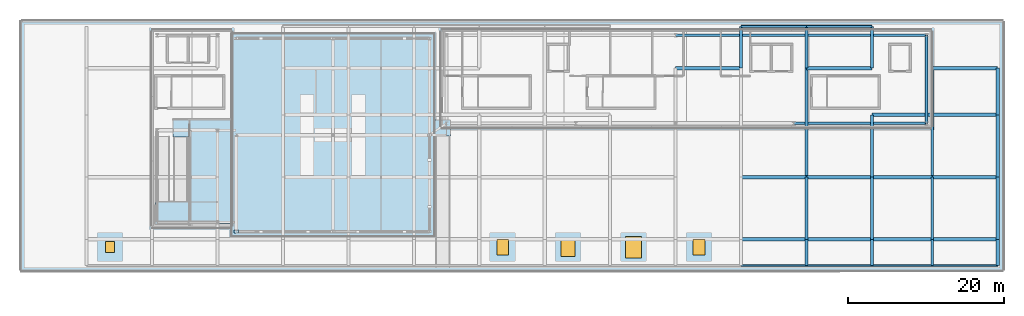
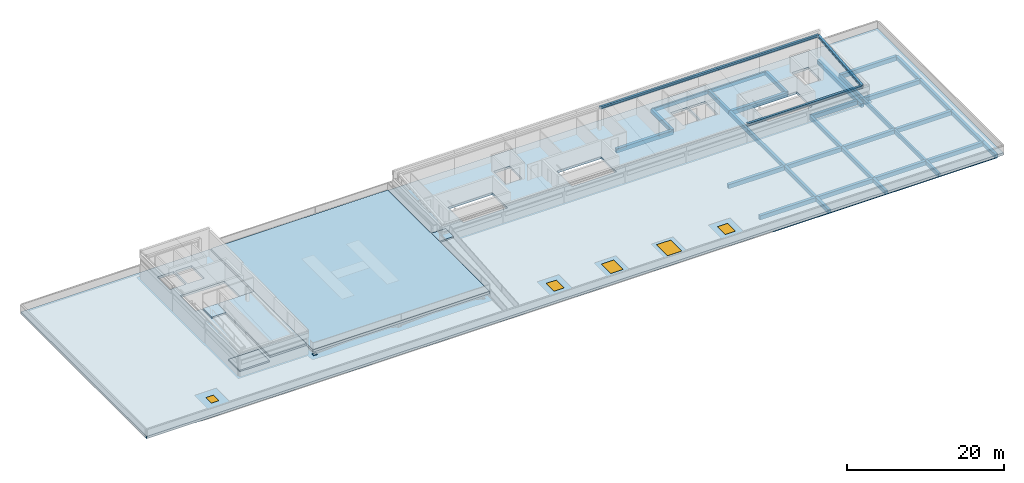
# One storey, part 5 of 14: 38 beams, 6 slabs, 4 windows, 1 door, 1 plate, 5 openings, 3 elements without a shape of their own.
"""IFC4 building model written with IfcOpenShell, lengths in metres."""

import ifcopenshell
import ifcopenshell.guid

model = None  # the IFC model being written
_history = None  # IfcOwnerHistory: only IFC2X3 demands one
_inside = {}  # id of a spatial element -> (the spatial element, [elements in it])
_under = {}  # id of a project, library or spatial element -> (it, [spatial elements below it])
_declared = {}  # id of a project -> (the project, [libraries it declares])
_typed = {}  # id of a type object -> (the type object, [elements of that type])
_made_of = {}  # id of a material, layer set ... -> (it, [elements and type objects made of it])


def new_model(schema):
    """Start an empty IFC model of exactly this schema.

    Asked for "IFC4X3", IfcOpenShell would pick the latest addendum, in which some entities
    have other attributes; the version numbers below select the first issue.
    IFC2X3 requires an IfcOwnerHistory on every rooted entity: one is made here for all.
    """
    global model, _history
    if schema == "IFC4X3":
        model = ifcopenshell.file(schema_version=(4, 3, 0, 0))
    else:
        model = ifcopenshell.file(schema=schema)
    _inside.clear()
    _under.clear()
    _declared.clear()
    _typed.clear()
    _made_of.clear()
    _history = None
    if model.schema == "IFC2X3":
        org = make("IfcOrganization", Name="unknown")
        user = make(
            "IfcPersonAndOrganization",
            ThePerson=make("IfcPerson", FamilyName="unknown"),
            TheOrganization=org,
        )
        app = make(
            "IfcApplication",
            ApplicationDeveloper=org,
            Version="unknown",
            ApplicationFullName="unknown",
            ApplicationIdentifier="unknown",
        )
        _history = make(
            "IfcOwnerHistory",
            OwningUser=user,
            OwningApplication=app,
            ChangeAction="ADDED",
            CreationDate=0,
        )
    return model


def make(cls, **values):
    """One entity of the class cls with the attributes given. An attribute that is None is left unset."""
    return model.create_entity(
        cls, **{name: value for name, value in values.items() if value is not None}
    )


def rooted(cls, **values):
    """An entity with a GlobalId (a new one), such as an element, a storey or a relation."""
    return make(cls, GlobalId=ifcopenshell.guid.new(), OwnerHistory=_history, **values)


def si_unit(unit_type, name, prefix=None):
    """IfcSIUnit, for example si_unit("LENGTHUNIT", "METRE", prefix="MILLI")."""
    return make("IfcSIUnit", UnitType=unit_type, Prefix=prefix, Name=name)


def assignment(units):
    """IfcUnitAssignment: the units of a project."""
    return None if units is None else make("IfcUnitAssignment", Units=units)


def point(xyz):
    """IfcCartesianPoint."""
    return None if xyz is None else make("IfcCartesianPoint", Coordinates=xyz)


def direction(xyz):
    """IfcDirection."""
    return None if xyz is None else make("IfcDirection", DirectionRatios=xyz)


def frame(location, z_axis=None, x_axis=None):
    """IfcAxis2Placement3D, a coordinate frame: its origin and axes. An axis left out is left unset."""
    return make(
        "IfcAxis2Placement3D",
        Location=point(location),
        Axis=direction(z_axis),
        RefDirection=direction(x_axis),
    )


def frame_2d(location, x_axis=None):
    """IfcAxis2Placement2D, a coordinate frame in the plane: its origin and x axis."""
    return make(
        "IfcAxis2Placement2D", Location=point(location), RefDirection=direction(x_axis)
    )


def origin():
    """The frame at (0, 0, 0) with its axes left unset."""
    return frame((0.0, 0.0, 0.0))


def origin_2d():
    """The frame at (0, 0) in the plane with its x axis left unset."""
    return frame_2d((0.0, 0.0))


def place(relative_to, where):
    """IfcLocalPlacement: puts the frame where relative to a parent placement (None: the world)."""
    return make(
        "IfcLocalPlacement", PlacementRelTo=relative_to, RelativePlacement=where
    )


def context(
    kind, dimensions, precision=None, world=None, true_north=None, identifier=None
):
    """IfcGeometricRepresentationContext, for example the 3D "Model" context."""
    return make(
        "IfcGeometricRepresentationContext",
        ContextIdentifier=identifier,
        ContextType=kind,
        CoordinateSpaceDimension=dimensions,
        Precision=precision,
        WorldCoordinateSystem=world,
        TrueNorth=true_north,
    )


def subcontext(parent, identifier, kind, view, scale=None):
    """IfcGeometricRepresentationSubContext, for example "Body" below "Model"."""
    return make(
        "IfcGeometricRepresentationSubContext",
        ContextIdentifier=identifier,
        ContextType=kind,
        ParentContext=parent,
        TargetScale=scale,
        TargetView=view,
    )


def project(units=None, contexts=None):
    """IfcProject with its units and contexts."""
    return rooted(
        "IfcProject",
        Name="project",
        RepresentationContexts=contexts,
        UnitsInContext=assignment(units),
    )


def spatial(cls, under=None, at=None, **own):
    """A site, building, storey or space (cls), placed at a placement, below another one or the project."""
    s = rooted(cls, ObjectPlacement=at, **own)
    if under is not None:
        _under.setdefault(under.id(), (under, []))[1].append(s)
    return s


def polyline(points):
    """IfcPolyline through the points."""
    return make("IfcPolyline", Points=[point(p) for p in points])


def profile(cls, at=None, kind="AREA", **sizes):
    """A parametric profile (cls). Its sizes go by their IFC names, for example OverallWidth=200.0."""
    return make(cls, ProfileType=kind, Position=at, **sizes)


def rectangle(**sizes):
    """IfcRectangleProfileDef."""
    return profile("IfcRectangleProfileDef", **sizes)


def i_section(**sizes):
    """IfcIShapeProfileDef."""
    return profile("IfcIShapeProfileDef", **sizes)


def outline(outer, holes=None, kind="AREA"):
    """IfcArbitraryClosedProfileDef: a profile drawn as a closed curve; with holes, ...WithVoids."""
    if holes is None:
        return make("IfcArbitraryClosedProfileDef", ProfileType=kind, OuterCurve=outer)
    return make(
        "IfcArbitraryProfileDefWithVoids",
        ProfileType=kind,
        OuterCurve=outer,
        InnerCurves=holes,
    )


def extrude(swept, where, along, depth):
    """IfcExtrudedAreaSolid: the profile swept, set in the frame where, extruded along a direction by depth."""
    return make(
        "IfcExtrudedAreaSolid",
        SweptArea=swept,
        Position=where,
        ExtrudedDirection=direction(along),
        Depth=depth,
    )


def shape(context_of_items, identifier, shape_type, items):
    """IfcShapeRepresentation: the items that make up one representation, for example the "Body"."""
    return make(
        "IfcShapeRepresentation",
        ContextOfItems=context_of_items,
        RepresentationIdentifier=identifier,
        RepresentationType=shape_type,
        Items=items,
    )


def material(Name=None, Category=None):
    """IfcMaterial."""
    return make("IfcMaterial", Name=Name, Category=Category)


def layer(
    of_material, thickness, ventilated=None, Name=None, Category=None, Priority=None
):
    """IfcMaterialLayer: one layer of a wall or slab, of a material (None: an air gap)."""
    return make(
        "IfcMaterialLayer",
        Material=of_material,
        LayerThickness=thickness,
        IsVentilated=ventilated,
        Name=Name,
        Category=Category,
        Priority=Priority,
    )


def layer_set(layers, Name=None):
    """IfcMaterialLayerSet."""
    return make("IfcMaterialLayerSet", MaterialLayers=layers, LayerSetName=Name)


def material_profile(
    of_material, cross_section, Name=None, Category=None, Priority=None
):
    """IfcMaterialProfile: a cross section and its material."""
    return make(
        "IfcMaterialProfile",
        Name=Name,
        Material=of_material,
        Profile=cross_section,
        Priority=Priority,
        Category=Category,
    )


def profile_set(profiles, Name=None, composite=None):
    """IfcMaterialProfileSet."""
    return make(
        "IfcMaterialProfileSet",
        Name=Name,
        MaterialProfiles=profiles,
        CompositeProfile=composite,
    )


def made_of(thing, what):
    """Note that an element or type object is made of a material, layer set ...; save() writes the relation."""
    if what is not None:
        _made_of.setdefault(what.id(), (what, []))[1].append(thing)
    return thing


def type_object(cls, material=None, **own):
    """A type object (cls), such as IfcWallType, which elements share."""
    return made_of(rooted(cls, **own), material)


def element(
    cls,
    number,
    at=None,
    inside=None,
    cuts=None,
    type_object=None,
    material=None,
    context=None,
    identifier="Body",
    shape_type=None,
    held_by="IfcProductDefinitionShape",
    body=None,
    shapes=None,
    **own,
):
    """One element of the class cls, such as IfcWall. Its Tag is "e" and its number.

    at: its placement. inside: the storey or other place that contains it. cuts: it is an
    opening in that element (IfcRelVoidsElement). A single representation is given by context,
    identifier, shape_type and body (its items); several are given by shapes. held_by: the class
    of the entity that holds the representations. save() writes the other relations.
    """
    e = rooted(cls, Tag="e%d" % number, ObjectPlacement=at, **own)
    if body is not None:
        shapes = [shape(context, identifier, shape_type, body)]
    if shapes is not None:
        e.Representation = make(held_by, Representations=shapes)
    if inside is not None:
        _inside.setdefault(inside.id(), (inside, []))[1].append(e)
    if cuts is not None:
        rooted(
            "IfcRelVoidsElement", RelatingBuildingElement=cuts, RelatedOpeningElement=e
        )
    if type_object is not None:
        _typed.setdefault(type_object.id(), (type_object, []))[1].append(e)
    return made_of(e, material)


def fill(opening, filler):
    """IfcRelFillsElement: the door or window that sits in an opening."""
    return rooted(
        "IfcRelFillsElement",
        RelatingOpeningElement=opening,
        RelatedBuildingElement=filler,
    )


def aggregate(whole, parts):
    """IfcRelAggregates: a whole, such as a stair, and the parts it consists of."""
    return rooted("IfcRelAggregates", RelatingObject=whole, RelatedObjects=parts)


def save(model, path):
    """Write the relations noted so far, then the file.

    IfcRelAggregates (storeys below a building ...), IfcRelContainedInSpatialStructure (elements
    in a storey), IfcRelDefinesByType, IfcRelAssociatesMaterial and IfcRelDeclares: one each for
    every whole, place, type object, material and project.
    """
    for whole, parts in _under.values():
        aggregate(whole, parts)
    for where, things in _inside.values():
        rooted(
            "IfcRelContainedInSpatialStructure",
            RelatedElements=things,
            RelatingStructure=where,
        )
    for kind, things in _typed.values():
        rooted("IfcRelDefinesByType", RelatedObjects=things, RelatingType=kind)
    for what, things in _made_of.values():
        rooted("IfcRelAssociatesMaterial", RelatedObjects=things, RelatingMaterial=what)
    for by, libraries in _declared.values():
        rooted("IfcRelDeclares", RelatingContext=by, RelatedDefinitions=libraries)
    model.write(path)


model = new_model("IFC4")

# Units and contexts
model_context = context("Model", 3, precision=1e-05, world=origin(), true_north=direction((0.0, 1.0)))
body_context = subcontext(model_context, "Body", "Model", "MODEL_VIEW")
ifc_project = project(units=[si_unit("LENGTHUNIT", "METRE"), si_unit("AREAUNIT", "SQUARE_METRE"), si_unit("VOLUMEUNIT", "CUBIC_METRE"), si_unit("PLANEANGLEUNIT", "RADIAN"), si_unit("MASSUNIT", "GRAM", prefix="KILO")], contexts=[model_context])

# Site, building, storey
site_placement = place(None, origin())
site = spatial("IfcSite", under=ifc_project, at=site_placement, CompositionType="ELEMENT")
building_placement = place(site_placement, origin())
building = spatial("IfcBuilding", under=site, at=building_placement, Name="Selatvlak General Hospital", CompositionType="ELEMENT")
storey_placement = place(building_placement, frame((0.0, 0.0, 39.449951171875)))
storey = spatial("IfcBuildingStorey", under=building, at=storey_placement, Name="RF", CompositionType="ELEMENT", Elevation=39.449951171875)

# Beams
ifc_material_1 = material(Name="Concrete C40/50", Category="concrete")
ifc_material_profile_1 = material_profile(ifc_material_1, rectangle(XDim=0.449951171875, YDim=0.64990234375, at=origin_2d()), Name="RC-BM 450x650")
ifc_profile_set_1 = profile_set([ifc_material_profile_1], Name="Concrete C40/50")
beam_type_1 = type_object("IfcBeamType", Name="BM-G04", PredefinedType="BEAM", material=ifc_profile_set_1)
for number, where, z_axis, x_axis, name in (
    (1, (123.60009765625, 92.0, -0.635009765625), (1.0, 0.0, 0.0), (0.0, 1.0, 0.0), "Beam BMR-RF-2742"),
    (2, (132.0, 92.0, -0.635009765625), (1.0, 0.0, 0.0), (0.0, 1.0, 0.0), "Beam BMR-RF-2743"),
):
    element("IfcBeam", number, at=place(storey_placement, frame(where, z_axis=z_axis, x_axis=x_axis)), inside=storey, type_object=beam_type_1, Name=name, PredefinedType="BEAM", context=body_context, shape_type="SweptSolid", body=[
        extrude(rectangle(XDim=0.449951171875, YDim=0.64990234375, at=origin_2d()), origin(), (0.0, 0.0, 1.0), 8.39990234375),
    ])
beam_1_placement = place(storey_placement, frame((140.39990234375, 92.0, -0.635009765625), z_axis=(1.0, 0.0, 0.0), x_axis=(0.0, 1.0, 0.0)))
element("IfcBeam", 3, at=beam_1_placement, inside=storey, type_object=beam_type_1, Name="Beam BMR-RF-2744", PredefinedType="BEAM", context=body_context, shape_type="SweptSolid", body=[
    extrude(rectangle(XDim=0.449951171875, YDim=0.64990234375, at=origin_2d()), origin(), (0.0, 0.0, 1.0), 7.75),
])
beam_2_placement = place(storey_placement, frame((148.14990234375, 92.0, -0.635009765625), z_axis=(1.0, 0.0, 0.0), x_axis=(0.0, 1.0, 0.0)))
element("IfcBeam", 4, at=beam_2_placement, inside=storey, type_object=beam_type_1, Name="Beam BMR-RF-2745", PredefinedType="BEAM", context=body_context, shape_type="SweptSolid", body=[
    extrude(rectangle(XDim=0.449951171875, YDim=0.64990234375, at=origin_2d()), origin(), (0.0, 0.0, 1.0), 8.400146484375),
])
for number, where, z_axis, x_axis, name in (
    (5, (123.60009765625, 100.0, -0.635009765625), (1.0, 0.0, 0.0), (0.0, 1.0, 0.0), "Beam BMR-RF-2757"),
    (6, (132.0, 100.0, -0.635009765625), (1.0, 0.0, 0.0), (0.0, 1.0, 0.0), "Beam BMR-RF-2758"),
):
    element("IfcBeam", number, at=place(storey_placement, frame(where, z_axis=z_axis, x_axis=x_axis)), inside=storey, type_object=beam_type_1, Name=name, PredefinedType="BEAM", context=body_context, shape_type="SweptSolid", body=[
        extrude(rectangle(XDim=0.449951171875, YDim=0.64990234375, at=origin_2d()), origin(), (0.0, 0.0, 1.0), 8.39990234375),
    ])
beam_3_placement = place(storey_placement, frame((140.39990234375, 100.0, -0.635009765625), z_axis=(1.0, 0.0, 0.0), x_axis=(0.0, 1.0, 0.0)))
element("IfcBeam", 7, at=beam_3_placement, inside=storey, type_object=beam_type_1, Name="Beam BMR-RF-2759", PredefinedType="BEAM", context=body_context, shape_type="SweptSolid", body=[
    extrude(rectangle(XDim=0.449951171875, YDim=0.64990234375, at=origin_2d()), origin(), (0.0, 0.0, 1.0), 7.75),
])
beam_4_placement = place(storey_placement, frame((148.14990234375, 100.0, -0.635009765625), z_axis=(1.0, 0.0, 0.0), x_axis=(0.0, 1.0, 0.0)))
element("IfcBeam", 8, at=beam_4_placement, inside=storey, type_object=beam_type_1, Name="Beam BMR-RF-2760", PredefinedType="BEAM", context=body_context, shape_type="SweptSolid", body=[
    extrude(rectangle(XDim=0.449951171875, YDim=0.64990234375, at=origin_2d()), origin(), (0.0, 0.0, 1.0), 8.400146484375),
])
beam_5_placement = place(storey_placement, frame((140.39990234375, 108.0, -0.635009765625), z_axis=(1.0, 0.0, 0.0), x_axis=(0.0, 1.0, 0.0)))
element("IfcBeam", 9, at=beam_5_placement, inside=storey, type_object=beam_type_1, Name="Beam BMR-RF-2771", PredefinedType="BEAM", context=body_context, shape_type="SweptSolid", body=[
    extrude(rectangle(XDim=0.449951171875, YDim=0.64990234375, at=origin_2d()), origin(), (0.0, 0.0, 1.0), 16.150146484375),
])
beam_6_placement = place(storey_placement, frame((115.199951171875, 114.0, -0.635009765625), z_axis=(1.0, 0.0, 0.0), x_axis=(0.0, 1.0, 0.0)))
element("IfcBeam", 10, at=beam_6_placement, inside=storey, type_object=beam_type_1, Name="Beam BMR-RF-2777", PredefinedType="BEAM", context=body_context, shape_type="SweptSolid", body=[
    extrude(rectangle(XDim=0.449951171875, YDim=0.64990234375, at=origin_2d()), origin(), (0.0, 0.0, 1.0), 8.400146484375),
])
beam_7_placement = place(storey_placement, frame((132.0, 114.0, -0.635009765625), z_axis=(1.0, 0.0, 0.0), x_axis=(0.0, 1.0, 0.0)))
element("IfcBeam", 11, at=beam_7_placement, inside=storey, type_object=beam_type_1, Name="Beam BMR-RF-2778", PredefinedType="BEAM", context=body_context, shape_type="SweptSolid", body=[
    extrude(rectangle(XDim=0.449951171875, YDim=0.64990234375, at=origin_2d()), origin(), (0.0, 0.0, 1.0), 8.39990234375),
])
beam_8_placement = place(storey_placement, frame((148.14990234375, 114.0, -0.635009765625), z_axis=(1.0, 0.0, 0.0), x_axis=(0.0, 1.0, 0.0)))
element("IfcBeam", 12, at=beam_8_placement, inside=storey, type_object=beam_type_1, Name="Beam BMR-RF-2779", PredefinedType="BEAM", context=body_context, shape_type="SweptSolid", body=[
    extrude(rectangle(XDim=0.449951171875, YDim=0.64990234375, at=origin_2d()), origin(), (0.0, 0.0, 1.0), 8.400146484375),
])
ifc_material_profile_2 = material_profile(ifc_material_1, rectangle(XDim=0.39990234375, YDim=0.60009765625, at=origin_2d()), Name="RC-BM 400x600")
ifc_profile_set_2 = profile_set([ifc_material_profile_2], Name="Concrete C40/50")
beam_type_2 = type_object("IfcBeamType", Name="BM-G05", PredefinedType="BEAM", material=ifc_profile_set_2)
beam_9_placement = place(storey_placement, frame((123.60009765625, 114.0, -0.60986328125), z_axis=(0.0, 1.0, 0.0), x_axis=(-1.0, 0.0, 0.0)))
element("IfcBeam", 13, at=beam_9_placement, inside=storey, type_object=beam_type_2, Name="Beam BMR-RF-2843", PredefinedType="BEAM", context=body_context, shape_type="SweptSolid", body=[
    extrude(rectangle(XDim=0.39990234375, YDim=0.60009765625, at=origin_2d()), origin(), (0.0, 0.0, 1.0), 5.35009765625),
])
beam_10_placement = place(storey_placement, frame((132.0, 88.64990234375, -0.60986328125), z_axis=(0.0, 1.0, 0.0), x_axis=(-1.0, 0.0, 0.0)))
element("IfcBeam", 14, at=beam_10_placement, inside=storey, type_object=beam_type_2, Name="Beam BMR-RF-2844", PredefinedType="BEAM", context=body_context, shape_type="SweptSolid", body=[
    extrude(rectangle(XDim=0.39990234375, YDim=0.60009765625, at=origin_2d()), origin(), (0.0, 0.0, 1.0), 3.35009765625),
])
beam_11_placement = place(storey_placement, frame((132.0, 92.0, -0.60986328125), z_axis=(0.0, 1.0, 0.0), x_axis=(-1.0, 0.0, 0.0)))
element("IfcBeam", 15, at=beam_11_placement, inside=storey, type_object=beam_type_2, Name="Beam BMR-RF-2845", PredefinedType="BEAM", context=body_context, shape_type="SweptSolid", body=[
    extrude(rectangle(XDim=0.39990234375, YDim=0.60009765625, at=origin_2d()), origin(), (0.0, 0.0, 1.0), 8.0),
])
beam_12_placement = place(storey_placement, frame((132.0, 100.0, -0.60986328125), z_axis=(0.0, 1.0, 0.0), x_axis=(-1.0, 0.0, 0.0)))
element("IfcBeam", 16, at=beam_12_placement, inside=storey, type_object=beam_type_2, Name="Beam BMR-RF-2846", PredefinedType="BEAM", context=body_context, shape_type="SweptSolid", body=[
    extrude(rectangle(XDim=0.39990234375, YDim=0.60009765625, at=origin_2d()), origin(), (0.0, 0.0, 1.0), 14.0),
])
beam_13_placement = place(storey_placement, frame((132.0, 114.0, -0.60986328125), z_axis=(0.0, 1.0, 0.0), x_axis=(-1.0, 0.0, 0.0)))
element("IfcBeam", 17, at=beam_13_placement, inside=storey, type_object=beam_type_2, Name="Beam BMR-RF-2847", PredefinedType="BEAM", context=body_context, shape_type="SweptSolid", body=[
    extrude(rectangle(XDim=0.39990234375, YDim=0.60009765625, at=origin_2d()), origin(), (0.0, 0.0, 1.0), 5.35009765625),
])
beam_14_placement = place(storey_placement, frame((140.39990234375, 88.64990234375, -0.60986328125), z_axis=(0.0, 1.0, 0.0), x_axis=(-1.0, 0.0, 0.0)))
element("IfcBeam", 18, at=beam_14_placement, inside=storey, type_object=beam_type_2, Name="Beam BMR-RF-2848", PredefinedType="BEAM", context=body_context, shape_type="SweptSolid", body=[
    extrude(rectangle(XDim=0.39990234375, YDim=0.60009765625, at=origin_2d()), origin(), (0.0, 0.0, 1.0), 3.35009765625),
])
for number, where, z_axis, x_axis, name in (
    (19, (140.39990234375, 92.0, -0.60986328125), (0.0, 1.0, 0.0), (-1.0, 0.0, 0.0), "Beam BMR-RF-2849"),
    (20, (140.39990234375, 100.0, -0.60986328125), (0.0, 1.0, 0.0), (-1.0, 0.0, 0.0), "Beam BMR-RF-2850"),
):
    element("IfcBeam", number, at=place(storey_placement, frame(where, z_axis=z_axis, x_axis=x_axis)), inside=storey, type_object=beam_type_2, Name=name, PredefinedType="BEAM", context=body_context, shape_type="SweptSolid", body=[
        extrude(rectangle(XDim=0.39990234375, YDim=0.60009765625, at=origin_2d()), origin(), (0.0, 0.0, 1.0), 8.0),
    ])
beam_15_placement = place(storey_placement, frame((140.39990234375, 114.0, -0.60986328125), z_axis=(0.0, 1.0, 0.0), x_axis=(-1.0, 0.0, 0.0)))
element("IfcBeam", 21, at=beam_15_placement, inside=storey, type_object=beam_type_2, Name="Beam BMR-RF-2851", PredefinedType="BEAM", context=body_context, shape_type="SweptSolid", body=[
    extrude(rectangle(XDim=0.39990234375, YDim=0.60009765625, at=origin_2d()), origin(), (0.0, 0.0, 1.0), 5.35009765625),
])
beam_16_placement = place(storey_placement, frame((147.39990234375, 106.89990234375, -0.60986328125), z_axis=(0.0, 1.0, 0.0), x_axis=(-1.0, 0.0, 0.0)))
element("IfcBeam", 22, at=beam_16_placement, inside=storey, type_object=beam_type_2, Name="Beam BMR-RF-2852", PredefinedType="BEAM", context=body_context, shape_type="SweptSolid", body=[
    extrude(rectangle(XDim=0.39990234375, YDim=0.60009765625, at=origin_2d()), origin(), (0.0, 0.0, 1.0), 11.300048828125),
])
beam_17_placement = place(storey_placement, frame((156.550048828125, 88.64990234375, -0.60986328125), z_axis=(0.0, 1.0, 0.0), x_axis=(-1.0, 0.0, 0.0)))
element("IfcBeam", 23, at=beam_17_placement, inside=storey, type_object=beam_type_2, Name="Beam BMR-RF-2856", PredefinedType="BEAM", context=body_context, shape_type="SweptSolid", body=[
    extrude(rectangle(XDim=0.39990234375, YDim=0.60009765625, at=origin_2d()), origin(), (0.0, 0.0, 1.0), 3.35009765625),
])
for number, where, z_axis, x_axis, name in (
    (24, (156.550048828125, 92.0, -0.60986328125), (0.0, 1.0, 0.0), (-1.0, 0.0, 0.0), "Beam BMR-RF-2857"),
    (25, (156.550048828125, 100.0, -0.60986328125), (0.0, 1.0, 0.0), (-1.0, 0.0, 0.0), "Beam BMR-RF-2858"),
):
    element("IfcBeam", number, at=place(storey_placement, frame(where, z_axis=z_axis, x_axis=x_axis)), inside=storey, type_object=beam_type_2, Name=name, PredefinedType="BEAM", context=body_context, shape_type="SweptSolid", body=[
        extrude(rectangle(XDim=0.39990234375, YDim=0.60009765625, at=origin_2d()), origin(), (0.0, 0.0, 1.0), 8.0),
    ])
beam_18_placement = place(storey_placement, frame((156.550048828125, 108.0, -0.60986328125), z_axis=(0.0, 1.0, 0.0), x_axis=(-1.0, 0.0, 0.0)))
element("IfcBeam", 26, at=beam_18_placement, inside=storey, type_object=beam_type_2, Name="Beam BMR-RF-2859", PredefinedType="BEAM", context=body_context, shape_type="SweptSolid", body=[
    extrude(rectangle(XDim=0.39990234375, YDim=0.60009765625, at=origin_2d()), origin(), (0.0, 0.0, 1.0), 6.0),
])
ifc_material_2 = material(Name="Steel S355", Category="steel")
ifc_material_profile_3 = material_profile(ifc_material_2, i_section(OverallWidth=0.300048828125, OverallDepth=0.39990234375, WebThickness=0.013427734375, FlangeThickness=0.02392578125, at=origin_2d()), Name="HEB 400")
ifc_profile_set_3 = profile_set([ifc_material_profile_3], Name="Steel S355")
beam_type_3 = type_object("IfcBeamType", Name="BM-HLP", PredefinedType="BEAM", material=ifc_profile_set_3)
beam_19_placement = place(storey_placement, frame((130.39990234375, 106.89990234375, 2.3701171875), z_axis=(1.0, 0.0, 0.0), x_axis=(0.0, 1.0, 0.0)))
element("IfcBeam", 27, at=beam_19_placement, inside=storey, type_object=beam_type_3, Name="Beam BMR-RF-2896", PredefinedType="BEAM", context=body_context, shape_type="SweptSolid", body=[
    extrude(i_section(OverallWidth=0.300048828125, OverallDepth=0.39990234375, WebThickness=0.013427734375, FlangeThickness=0.02392578125, at=origin_2d()), origin(), (0.0, 0.0, 1.0), 17.0),
])
beam_20_placement = place(storey_placement, frame((115.199951171875, 118.199951171875, 3.429931640625), z_axis=(1.0, 0.0, 0.0), x_axis=(0.0, 1.0, 0.0)))
element("IfcBeam", 28, at=beam_20_placement, inside=storey, type_object=beam_type_3, Name="Beam BMR-RF-2898", PredefinedType="BEAM", context=body_context, shape_type="SweptSolid", body=[
    extrude(i_section(OverallWidth=0.300048828125, OverallDepth=0.39990234375, WebThickness=0.013427734375, FlangeThickness=0.02392578125, at=origin_2d()), origin(), (0.0, 0.0, 1.0), 32.199951171875),
])
beam_21_placement = place(storey_placement, frame((147.39990234375, 106.89990234375, 2.3701171875), z_axis=(0.0, 0.995630664484, 0.093378691034), x_axis=(-1.0, 0.0, 0.0)))
element("IfcBeam", 29, at=beam_21_placement, inside=storey, type_object=beam_type_3, Name="Beam BMR-RF-2900", PredefinedType="BEAM", context=body_context, shape_type="SweptSolid", body=[
    extrude(i_section(OverallWidth=0.300048828125, OverallDepth=0.39990234375, WebThickness=0.013427734375, FlangeThickness=0.02392578125, at=origin_2d()), origin(), (0.0, 0.0, 1.0), 11.349609375),
])
ifc_material_profile_4 = material_profile(ifc_material_1, rectangle(XDim=0.300048828125, YDim=0.64990234375, at=origin_2d()), Name="RC-SP 300x650")
ifc_profile_set_4 = profile_set([ifc_material_profile_4], Name="Concrete C40/50")
beam_type_4 = type_object("IfcBeamType", Name="BM-SP1", PredefinedType="SPANDREL", material=ifc_profile_set_4)
beam_22_placement = place(storey_placement, frame((148.14990234375, 88.64990234375, -0.635009765625), z_axis=(0.0, 1.0, 0.0), x_axis=(-1.0, 0.0, 0.0)))
element("IfcBeam", 30, at=beam_22_placement, inside=storey, type_object=beam_type_4, Name="Beam BMR-RF-2853", PredefinedType="SPANDREL", context=body_context, shape_type="SweptSolid", body=[
    extrude(rectangle(XDim=0.300048828125, YDim=0.64990234375, at=origin_2d()), origin(), (0.0, 0.0, 1.0), 3.35009765625),
])
beam_23_placement = place(storey_placement, frame((148.14990234375, 92.0, -0.635009765625), z_axis=(0.0, 1.0, 0.0), x_axis=(-1.0, 0.0, 0.0)))
element("IfcBeam", 31, at=beam_23_placement, inside=storey, type_object=beam_type_4, Name="Beam BMR-RF-2854", PredefinedType="SPANDREL", context=body_context, shape_type="SweptSolid", body=[
    extrude(rectangle(XDim=0.300048828125, YDim=0.64990234375, at=origin_2d()), origin(), (0.0, 0.0, 1.0), 8.0),
])
beam_24_placement = place(storey_placement, frame((148.14990234375, 100.0, -0.635009765625), z_axis=(0.0, 1.0, 0.0), x_axis=(-1.0, 0.0, 0.0)))
element("IfcBeam", 32, at=beam_24_placement, inside=storey, type_object=beam_type_4, Name="Beam BMR-RF-2855", PredefinedType="SPANDREL", context=body_context, shape_type="SweptSolid", body=[
    extrude(rectangle(XDim=0.300048828125, YDim=0.64990234375, at=origin_2d()), origin(), (0.0, 0.0, 1.0), 14.0),
])
ifc_material_profile_5 = material_profile(ifc_material_1, rectangle(XDim=0.25, YDim=0.550048828125, at=origin_2d()), Name="RC-SP 250x550")
ifc_profile_set_5 = profile_set([ifc_material_profile_5], Name="Concrete C40/50")
beam_type_5 = type_object("IfcBeamType", Name="BM-SP2", PredefinedType="SPANDREL", material=ifc_profile_set_5)
for number, where, z_axis, x_axis, name in (
    (33, (123.60009765625, 88.64990234375, -0.5849609375), (1.0, 0.0, 0.0), (0.0, 1.0, 0.0), "Beam BMR-RF-2728"),
    (34, (132.0, 88.64990234375, -0.5849609375), (1.0, 0.0, 0.0), (0.0, 1.0, 0.0), "Beam BMR-RF-2729"),
):
    element("IfcBeam", number, at=place(storey_placement, frame(where, z_axis=z_axis, x_axis=x_axis)), inside=storey, type_object=beam_type_5, Name=name, PredefinedType="SPANDREL", context=body_context, shape_type="SweptSolid", body=[
        extrude(rectangle(XDim=0.25, YDim=0.550048828125, at=origin_2d()), origin(), (0.0, 0.0, 1.0), 8.39990234375),
    ])
beam_25_placement = place(storey_placement, frame((140.39990234375, 88.64990234375, -0.5849609375), z_axis=(1.0, 0.0, 0.0), x_axis=(0.0, 1.0, 0.0)))
element("IfcBeam", 35, at=beam_25_placement, inside=storey, type_object=beam_type_5, Name="Beam BMR-RF-2730", PredefinedType="SPANDREL", context=body_context, shape_type="SweptSolid", body=[
    extrude(rectangle(XDim=0.25, YDim=0.550048828125, at=origin_2d()), origin(), (0.0, 0.0, 1.0), 7.75),
])
beam_26_placement = place(storey_placement, frame((148.14990234375, 88.64990234375, -0.5849609375), z_axis=(1.0, 0.0, 0.0), x_axis=(0.0, 1.0, 0.0)))
element("IfcBeam", 36, at=beam_26_placement, inside=storey, type_object=beam_type_5, Name="Beam BMR-RF-2731", PredefinedType="SPANDREL", context=body_context, shape_type="SweptSolid", body=[
    extrude(rectangle(XDim=0.25, YDim=0.550048828125, at=origin_2d()), origin(), (0.0, 0.0, 1.0), 8.400146484375),
])
for number, where, z_axis, x_axis, name in (
    (37, (123.60009765625, 119.35009765625, -0.5849609375), (1.0, 0.0, 0.0), (0.0, 1.0, 0.0), "Beam BMR-RF-2787"),
    (38, (132.0, 119.35009765625, -0.5849609375), (1.0, 0.0, 0.0), (0.0, 1.0, 0.0), "Beam BMR-RF-2788"),
):
    element("IfcBeam", number, at=place(storey_placement, frame(where, z_axis=z_axis, x_axis=x_axis)), inside=storey, type_object=beam_type_5, Name=name, PredefinedType="SPANDREL", context=body_context, shape_type="SweptSolid", body=[
        extrude(rectangle(XDim=0.25, YDim=0.550048828125, at=origin_2d()), origin(), (0.0, 0.0, 1.0), 8.39990234375),
    ])

# Plate
ifc_layer_1 = layer(ifc_material_2, 0.02392578125, Name="Steel S355", Category="steel")
ifc_layer_set_1 = layer_set([ifc_layer_1], Name="Steel S355")
plate_type = type_object("IfcPlateType", Name="PLT-GP-02", PredefinedType="USERDEFINED", material=ifc_layer_set_1)
plate_placement = place(storey_placement, frame((58.800048828125, 93.0, 0.158203125), z_axis=(0.0, 0.0, 1.0), x_axis=(1.0, 0.0, 0.0)))
element("IfcPlate", 39, at=plate_placement, inside=storey, type_object=plate_type, Name="Helipad brace node gusset plate 102", ObjectType="GUSSET_PLATE", PredefinedType="USERDEFINED", context=body_context, shape_type="SweptSolid", body=[
    extrude(rectangle(XDim=0.550048828125, YDim=0.39990234375, at=origin_2d()), origin(), (0.0, 0.0, 1.0), 0.02392578125),
])

# Ramp, slab
ramp_type = type_object("IfcRampType", Name="RAMP-ACC", PredefinedType="STRAIGHT_RUN_RAMP", material=ifc_material_1)
ramp_1_placement = place(storey_placement, origin())
ramp_1 = element("IfcRamp", 40, at=ramp_1_placement, inside=storey, type_object=ramp_type, Name="Accessible step-free ramp RMP-HLP-W1", PredefinedType="STRAIGHT_RUN_RAMP")
ifc_layer_2 = layer(ifc_material_1, 0.219970703125, Name="Concrete C40/50", Category="concrete")
ifc_layer_set_2 = layer_set([ifc_layer_2], Name="Concrete C40/50")
slab_type_1 = type_object("IfcSlabType", Name="SLAB-LND2", PredefinedType="LANDING", material=ifc_layer_set_2)
slab_1_placement = place(storey_placement, frame((0.0, 0.0, 0.47998046875)))
slab_1 = element("IfcSlab", 41, at=slab_1_placement, type_object=slab_type_1, Name="Accessible ramp landing SL-HLPLND-W1", PredefinedType="LANDING", context=body_context, shape_type="SweptSolid", body=[
    extrude(outline(polyline([(48.35009765625, 94.0), (52.699951171875, 94.0), (52.699951171875, 96.85009765625), (48.35009765625, 96.85009765625), (48.35009765625, 94.0)])), origin(), (0.0, 0.0, 1.0), 0.219970703125),
])
aggregate(ramp_1, [slab_1])

ramp_2_placement = place(storey_placement, origin())
ramp_2 = element("IfcRamp", 42, at=ramp_2_placement, inside=storey, type_object=ramp_type, Name="Accessible step-free ramp RMP-HLP-W2", PredefinedType="STRAIGHT_RUN_RAMP")
slab_2_placement = place(storey_placement, frame((0.0, 0.0, 1.179931640625)))
slab_2 = element("IfcSlab", 43, at=slab_2_placement, type_object=slab_type_1, Name="Accessible ramp landing SL-HLPLND-W2", PredefinedType="LANDING", context=body_context, shape_type="SweptSolid", body=[
    extrude(outline(polyline([(50.699951171875, 105.14990234375), (52.800048828125, 105.14990234375), (52.800048828125, 107.39990234375), (50.699951171875, 107.39990234375), (50.699951171875, 105.14990234375)])), origin(), (0.0, 0.0, 1.0), 0.22021484375),
])
aggregate(ramp_2, [slab_2])

ramp_3_placement = place(storey_placement, origin())
ramp_3 = element("IfcRamp", 44, at=ramp_3_placement, inside=storey, type_object=ramp_type, Name="Accessible step-free ramp RMP-HLP-E1", PredefinedType="STRAIGHT_RUN_RAMP")
slab_3_placement = place(storey_placement, frame((0.0, 0.0, 1.179931640625)))
slab_3 = element("IfcSlab", 45, at=slab_3_placement, type_object=slab_type_1, Name="Accessible ramp landing SL-HLPLND-E1", PredefinedType="LANDING", context=body_context, shape_type="SweptSolid", body=[
    extrude(outline(polyline([(84.2099609375, 105.25), (86.300048828125, 105.25), (86.300048828125, 107.300048828125), (84.2099609375, 107.300048828125), (84.2099609375, 105.25)])), origin(), (0.0, 0.0, 1.0), 0.22021484375),
])
aggregate(ramp_3, [slab_3])

# Slabs
ifc_layer_3 = layer(ifc_material_1, 0.264892578125, Name="Concrete C40/50", Category="concrete")
ifc_layer_set_3 = layer_set([ifc_layer_3], Name="Concrete C40/50")
slab_type_2 = type_object("IfcSlabType", Name="SLAB-SL-FL8", PredefinedType="FLOOR", material=ifc_layer_set_3)
slab_4_placement = place(storey_placement, frame((0.0, 0.0, 1.135009765625)))
element("IfcSlab", 46, at=slab_4_placement, inside=storey, type_object=slab_type_2, Name="RF helipad trauma transfer platform slab", PredefinedType="FLOOR", context=body_context, shape_type="SweptSolid", body=[
    extrude(outline(polyline([(58.179931640625, 94.0), (58.179931640625, 107.39990234375), (52.800048828125, 107.39990234375), (52.800048828125, 94.0), (58.179931640625, 94.0)])), origin(), (0.0, 0.0, 1.0), 0.26513671875),
])
ifc_layer_4 = layer(ifc_material_1, 0.364990234375, Name="Concrete C40/50", Category="concrete")
ifc_layer_set_4 = layer_set([ifc_layer_4], Name="Concrete C40/50")
slab_type_3 = type_object("IfcSlabType", Name="SLAB-SL-HLP", PredefinedType="ROOF", material=ifc_layer_set_4)
slab_5_placement = place(storey_placement, frame((0.0, 0.0, 1.03515625)))
element("IfcSlab", 47, at=slab_5_placement, inside=storey, type_object=slab_type_3, Name="RF roof slab ROOF-HELIPAD", PredefinedType="ROOF", context=body_context, shape_type="SweptSolid", body=[
    extrude(outline(polyline([(84.199951171875, 92.39990234375), (84.199951171875, 118.39990234375), (58.199951171875, 118.39990234375), (58.199951171875, 92.39990234375), (84.199951171875, 92.39990234375)])), origin(), (0.0, 0.0, 1.0), 0.364990234375),
])

# Slab, openings, door, windows
ifc_layer_5 = layer(ifc_material_1, 0.360107421875, Name="Concrete C40/50", Category="concrete")
ifc_layer_set_5 = layer_set([ifc_layer_5], Name="Concrete C40/50")
slab_type_4 = type_object("IfcSlabType", Name="SLAB-SL-RF9", PredefinedType="ROOF", material=ifc_layer_set_5)
slab_6_placement = place(storey_placement, frame((0.0, 0.0, -0.31005859375)))
slab_6 = element("IfcSlab", 48, at=slab_6_placement, inside=storey, type_object=slab_type_4, Name="RF roof slab ROOF-V5-MAIN", PredefinedType="ROOF", context=body_context, shape_type="SweptSolid", body=[
    extrude(outline(polyline([(157.199951171875, 88.0), (31.199951171875, 88.0), (31.199951171875, 120.0), (157.199951171875, 120.0), (157.199951171875, 88.0)]), holes=[polyline([(57.050048828125, 112.93994140625), (50.554931640625, 112.93994140625), (50.554931640625, 109.0), (57.050048828125, 109.0), (57.050048828125, 112.93994140625)]), polyline([(96.39990234375, 109.0), (96.39990234375, 112.93994140625), (89.905029296875, 112.93994140625), (89.905029296875, 109.0), (96.39990234375, 109.0)]), polyline([(105.905029296875, 109.0), (112.39990234375, 109.0), (112.39990234375, 112.93994140625), (105.905029296875, 112.93994140625), (105.905029296875, 109.0)]), polyline([(134.705078125, 112.93994140625), (134.705078125, 109.0), (141.199951171875, 109.0), (141.199951171875, 112.93994140625), (134.705078125, 112.93994140625)]), polyline([(98.89990234375, 116.89990234375), (98.89990234375, 113.699951171875), (101.300048828125, 113.699951171875), (101.300048828125, 116.89990234375), (98.89990234375, 116.89990234375)]), polyline([(145.199951171875, 116.89990234375), (142.800048828125, 116.89990234375), (142.800048828125, 113.699951171875), (145.199951171875, 113.699951171875), (145.199951171875, 116.89990234375)]), polyline([(52.5, 114.800048828125), (52.5, 118.0), (50.10009765625, 118.0), (50.10009765625, 114.800048828125), (52.5, 114.800048828125)]), polyline([(52.75, 114.800048828125), (55.14990234375, 114.800048828125), (55.14990234375, 118.0), (52.75, 118.0), (52.75, 114.800048828125)]), polyline([(124.949951171875, 116.89990234375), (124.949951171875, 113.699951171875), (127.35009765625, 113.699951171875), (127.35009765625, 116.89990234375), (124.949951171875, 116.89990234375)]), polyline([(130.0, 116.89990234375), (127.60009765625, 116.89990234375), (127.60009765625, 113.699951171875), (130.0, 113.699951171875), (130.0, 116.89990234375)]), polyline([(42.050048828125, 90.300048828125), (43.14990234375, 90.300048828125), (43.14990234375, 91.699951171875), (42.050048828125, 91.699951171875), (42.050048828125, 90.300048828125)]), polyline([(92.25, 90.0), (93.75, 90.0), (93.75, 92.0), (92.25, 92.0), (92.25, 90.0)]), polyline([(100.5, 89.800048828125), (102.300048828125, 89.800048828125), (102.300048828125, 92.199951171875), (100.5, 92.199951171875), (100.5, 89.800048828125)]), polyline([(108.75, 89.60009765625), (110.85009765625, 89.60009765625), (110.85009765625, 92.39990234375), (108.75, 92.39990234375), (108.75, 89.60009765625)]), polyline([(117.449951171875, 90.0), (118.949951171875, 90.0), (118.949951171875, 92.0), (117.449951171875, 92.0), (117.449951171875, 90.0)])]), origin(), (0.0, 0.0, 1.0), 0.360107421875),
])
opening_1_placement = place(slab_6_placement, frame((42.60009765625, 91.0, 0.0)))
opening_1 = element("IfcOpeningElement", 49, at=opening_1_placement, cuts=slab_6, Name="Opening DH-02", PredefinedType="OPENING", context=body_context, shape_type="SweptSolid", body=[
    extrude(rectangle(XDim=1.10009765625, YDim=1.39990234375, at=origin_2d()), frame((0.0, 0.0, -0.010009765625)), (0.0, 0.0, 1.0), 0.380126953125),
])
opening_2_placement = place(slab_6_placement, frame((93.0, 91.0, 0.0)))
opening_2 = element("IfcOpeningElement", 50, at=opening_2_placement, cuts=slab_6, Name="Opening SK-03", PredefinedType="OPENING", context=body_context, shape_type="SweptSolid", body=[
    extrude(rectangle(XDim=1.5, YDim=2.0, at=origin_2d()), frame((0.0, 0.0, -0.010009765625)), (0.0, 0.0, 1.0), 0.380126953125),
])
opening_3_placement = place(slab_6_placement, frame((101.39990234375, 91.0, 0.0)))
opening_3 = element("IfcOpeningElement", 51, at=opening_3_placement, cuts=slab_6, Name="Opening SK-01", PredefinedType="OPENING", context=body_context, shape_type="SweptSolid", body=[
    extrude(rectangle(XDim=1.800048828125, YDim=2.39990234375, at=origin_2d()), frame((0.0, 0.0, -0.010009765625)), (0.0, 0.0, 1.0), 0.380126953125),
])
opening_4_placement = place(slab_6_placement, frame((109.800048828125, 91.0, 0.0)))
opening_4 = element("IfcOpeningElement", 52, at=opening_4_placement, cuts=slab_6, Name="Opening SK-02", PredefinedType="OPENING", context=body_context, shape_type="SweptSolid", body=[
    extrude(rectangle(XDim=2.10009765625, YDim=2.800048828125, at=origin_2d()), frame((0.0, 0.0, -0.010009765625)), (0.0, 0.0, 1.0), 0.380126953125),
])
opening_5_placement = place(slab_6_placement, frame((118.199951171875, 91.0, 0.0)))
opening_5 = element("IfcOpeningElement", 53, at=opening_5_placement, cuts=slab_6, Name="Opening SK-03", PredefinedType="OPENING", context=body_context, shape_type="SweptSolid", body=[
    extrude(rectangle(XDim=1.5, YDim=2.0, at=origin_2d()), frame((0.0, 0.0, -0.010009765625)), (0.0, 0.0, 1.0), 0.380126953125),
])
ifc_material_3 = material(Name="Anodised aluminium insulated hatch", Category="aluminium")
door_type = type_object("IfcDoorType", Name="DOOR-HT-02", OperationType="SINGLE_SWING_LEFT", PredefinedType="TRAPDOOR", material=ifc_material_3)
door_placement = place(opening_1_placement, frame((0.0, 0.0, 0.31005859375)))
door = element("IfcDoor", 54, at=door_placement, inside=storey, type_object=door_type, Name="Roof access hatch 6", OperationType="SINGLE_SWING_LEFT", OverallHeight=1.39990234375, OverallWidth=1.10009765625, PredefinedType="TRAPDOOR", context=body_context, shape_type="SweptSolid", body=[
    extrude(rectangle(XDim=1.10009765625, YDim=1.39990234375, at=origin_2d()), origin(), (0.0, 0.0, 1.0), 0.050048828125),
])
fill(opening_1, door)
ifc_material_4 = material(Name="Double-glazed thermally broken skylight")
window_type_1 = type_object("IfcWindowType", Name="WIN-SKY-01", PartitioningType="SINGLE_PANEL", PredefinedType="SKYLIGHT", material=ifc_material_4)
window_1_placement = place(opening_3_placement, frame((0.0, 0.0, 0.31005859375)))
window_1 = element("IfcWindow", 55, at=window_1_placement, inside=storey, type_object=window_type_1, Name="Roof clerestory skylight 7", OverallHeight=2.39990234375, OverallWidth=1.800048828125, PartitioningType="SINGLE_PANEL", PredefinedType="SKYLIGHT", context=body_context, shape_type="SweptSolid", body=[
    extrude(rectangle(XDim=1.800048828125, YDim=2.39990234375, at=origin_2d()), origin(), (0.0, 0.0, 1.0), 0.050048828125),
])
fill(opening_3, window_1)
window_type_2 = type_object("IfcWindowType", Name="WIN-SKY-02", PartitioningType="SINGLE_PANEL", PredefinedType="SKYLIGHT", material=ifc_material_4)
window_2_placement = place(opening_4_placement, frame((0.0, 0.0, 0.31005859375)))
window_2 = element("IfcWindow", 56, at=window_2_placement, inside=storey, type_object=window_type_2, Name="Roof clerestory skylight 8", OverallHeight=2.800048828125, OverallWidth=2.10009765625, PartitioningType="SINGLE_PANEL", PredefinedType="SKYLIGHT", context=body_context, shape_type="SweptSolid", body=[
    extrude(rectangle(XDim=2.10009765625, YDim=2.800048828125, at=origin_2d()), origin(), (0.0, 0.0, 1.0), 0.050048828125),
])
fill(opening_4, window_2)
window_type_3 = type_object("IfcWindowType", Name="WIN-SKY-03", PartitioningType="SINGLE_PANEL", PredefinedType="SKYLIGHT", material=ifc_material_4)
window_3_placement = place(opening_2_placement, frame((0.0, 0.0, 0.31005859375)))
window_3 = element("IfcWindow", 57, at=window_3_placement, inside=storey, type_object=window_type_3, Name="Roof clerestory skylight 6", OverallHeight=2.0, OverallWidth=1.5, PartitioningType="SINGLE_PANEL", PredefinedType="SKYLIGHT", context=body_context, shape_type="SweptSolid", body=[
    extrude(rectangle(XDim=1.5, YDim=2.0, at=origin_2d()), origin(), (0.0, 0.0, 1.0), 0.050048828125),
])
fill(opening_2, window_3)
window_4_placement = place(opening_5_placement, frame((0.0, 0.0, 0.31005859375)))
window_4 = element("IfcWindow", 58, at=window_4_placement, inside=storey, type_object=window_type_3, Name="Roof clerestory skylight 9", OverallHeight=2.0, OverallWidth=1.5, PartitioningType="SINGLE_PANEL", PredefinedType="SKYLIGHT", context=body_context, shape_type="SweptSolid", body=[
    extrude(rectangle(XDim=1.5, YDim=2.0, at=origin_2d()), origin(), (0.0, 0.0, 1.0), 0.050048828125),
])
fill(opening_5, window_4)

save(model, "model.ifc")
